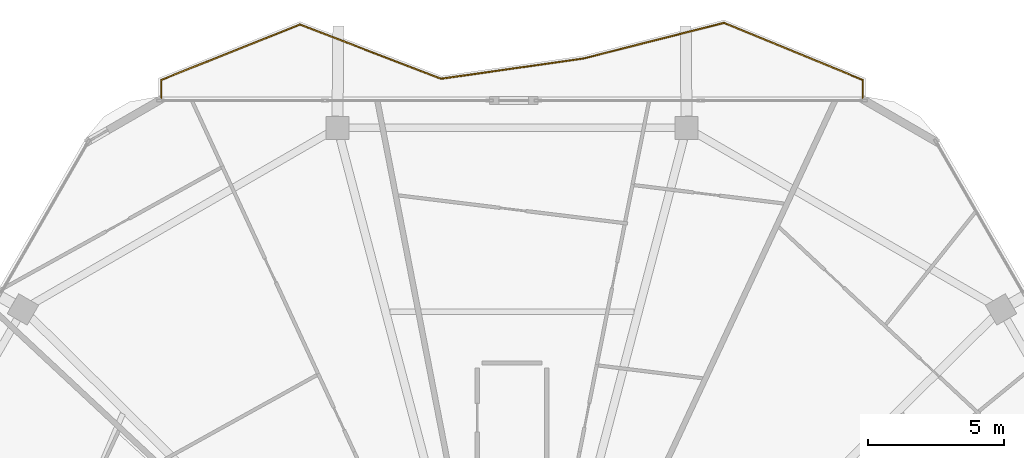
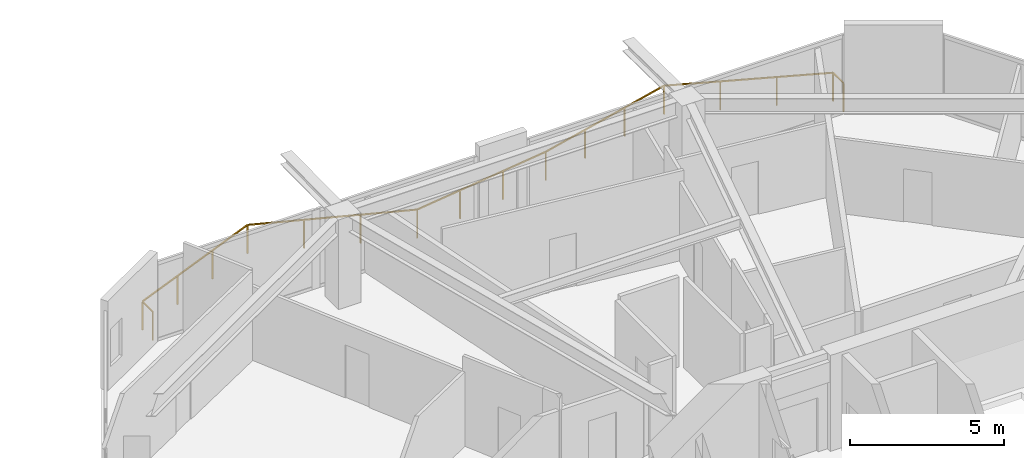
# One storey, part 27 of 27: 1 railing.
"""IFC4 building model written with IfcOpenShell, lengths in metres."""

from ifc_helpers import new_model, si_unit, direction, frame, origin, origin_2d, place, context, subcontext, project, spatial, rectangle, extrude, material, type_object, element, save


model = new_model("IFC4")

# Units and contexts
model_context = context("Model", 3, precision=1e-05, world=origin(), true_north=direction((0.0, 1.0)))
body_context = subcontext(model_context, "Body", "Model", "MODEL_VIEW")
ifc_project = project(units=[si_unit("LENGTHUNIT", "METRE"), si_unit("AREAUNIT", "SQUARE_METRE"), si_unit("VOLUMEUNIT", "CUBIC_METRE"), si_unit("PLANEANGLEUNIT", "RADIAN"), si_unit("MASSUNIT", "GRAM", prefix="KILO")], contexts=[model_context])

# Site, building, storey
site_placement = place(None, origin())
site = spatial("IfcSite", under=ifc_project, at=site_placement, CompositionType="ELEMENT")
building_placement = place(site_placement, origin())
building = spatial("IfcBuilding", under=site, at=building_placement, Name="Zuhravey Tower", CompositionType="ELEMENT")
storey_placement = place(building_placement, frame((0.0, 0.0, 265.39990234375)))
storey = spatial("IfcBuildingStorey", under=building, at=storey_placement, Name="L67", CompositionType="ELEMENT", Elevation=265.39990234375)

# Railing
ifc_material = material(Name="Stainless steel 316 and laminated glass", Category="steel")
railing_type = type_object("IfcRailingType", Name="Balcony & Terrace Guardrail 1150", PredefinedType="BALUSTRADE", material=ifc_material)
railing_placement = place(storey_placement, frame((23.058349609375, 57.648681640625, 0.0)))
element("IfcRailing", 1, at=railing_placement, inside=storey, type_object=railing_type, Name="L67 Face 2 Wave Balcony Guardrail GR1", PredefinedType="BALUSTRADE", context=body_context, shape_type="SweptSolid", body=[
    extrude(rectangle(XDim=0.048095703125, YDim=0.048095703125, at=origin_2d()), frame((0.0, 0.001953125, 1.1259765625), z_axis=(0.0, 1.0, 0.0), x_axis=(-1.0, 0.0, 0.0)), (0.0, 0.0, 1.0), 0.668212890625),
    extrude(rectangle(XDim=0.048095703125, YDim=0.048095703125, at=origin_2d()), frame((0.001953125, 0.6728515625, 1.1259765625), z_axis=(0.928574424456, 0.371146249134, 0.0), x_axis=(-0.371146249134, 0.928574424456, 0.0)), (0.0, 0.0, 1.0), 5.507080078125),
    extrude(rectangle(XDim=0.048095703125, YDim=0.048095703125, at=origin_2d()), frame((5.119384765625, 2.716796875, 1.1259765625), z_axis=(0.933372687279, -0.358908660582, 0.0), x_axis=(0.358908660582, 0.933372687279, 0.0)), (0.0, 0.0, 1.0), 5.57177734375),
    extrude(rectangle(XDim=0.048095703125, YDim=0.048095703125, at=origin_2d()), frame((10.32373046875, 0.716552734375, 1.1259765625), z_axis=(0.990056074814, 0.1406732694, 0.0), x_axis=(-0.1406732694, 0.990056074814, 0.0)), (0.0, 0.0, 1.0), 5.296142578125),
    extrude(rectangle(XDim=0.048095703125, YDim=0.048095703125, at=origin_2d()), frame((15.5712890625, 1.46240234375, 1.1259765625), z_axis=(0.969261841754, 0.246031465712, 0.0), x_axis=(-0.246031465712, 0.969261841754, 0.0)), (0.0, 0.0, 1.0), 5.3505859375),
    extrude(rectangle(XDim=0.048095703125, YDim=0.048095703125, at=origin_2d()), frame((20.76123046875, 2.778564453125, 1.1259765625), z_axis=(0.924896981159, -0.38021779843, 0.0), x_axis=(0.38021779843, 0.924896981159, 0.0)), (0.0, 0.0, 1.0), 5.5361328125),
    extrude(rectangle(XDim=0.048095703125, YDim=0.048095703125, at=origin_2d()), frame((25.88330078125, 0.6708984375, 1.1259765625), z_axis=(0.0, -1.0, 0.0), x_axis=(1.0, 0.0, 0.0)), (0.0, 0.0, 1.0), 0.6689453125),
    extrude(rectangle(XDim=0.0419921875, YDim=0.0419921875, at=origin_2d()), origin(), (0.0, 0.0, 1.0), 1.099853515625),
    extrude(rectangle(XDim=0.0419921875, YDim=0.0419921875, at=origin_2d()), frame((0.0, 0.672119140625, 0.0)), (0.0, 0.0, 1.0), 1.099853515625),
    extrude(rectangle(XDim=0.0419921875, YDim=0.0419921875, at=origin_2d()), frame((1.705810546875, 1.35400390625, 0.0)), (0.0, 0.0, 1.0), 1.099853515625),
    extrude(rectangle(XDim=0.0419921875, YDim=0.0419921875, at=origin_2d()), frame((3.41162109375, 2.03564453125, 0.0)), (0.0, 0.0, 1.0), 1.099853515625),
    extrude(rectangle(XDim=0.0419921875, YDim=0.0419921875, at=origin_2d()), frame((5.117431640625, 2.717529296875, 0.0)), (0.0, 0.0, 1.0), 1.099853515625),
    extrude(rectangle(XDim=0.0419921875, YDim=0.0419921875, at=origin_2d()), frame((6.852294921875, 2.050537109375, 0.0)), (0.0, 0.0, 1.0), 1.099853515625),
    extrude(rectangle(XDim=0.0419921875, YDim=0.0419921875, at=origin_2d()), frame((8.5869140625, 1.38330078125, 0.0)), (0.0, 0.0, 1.0), 1.099853515625),
    extrude(rectangle(XDim=0.0419921875, YDim=0.0419921875, at=origin_2d()), frame((10.32177734375, 0.71630859375, 0.0)), (0.0, 0.0, 1.0), 1.099853515625),
    extrude(rectangle(XDim=0.0419921875, YDim=0.0419921875, at=origin_2d()), frame((12.071044921875, 0.96484375, 0.0)), (0.0, 0.0, 1.0), 1.099853515625),
    extrude(rectangle(XDim=0.0419921875, YDim=0.0419921875, at=origin_2d()), frame((13.820068359375, 1.21337890625, 0.0)), (0.0, 0.0, 1.0), 1.099853515625),
    extrude(rectangle(XDim=0.0419921875, YDim=0.0419921875, at=origin_2d()), frame((15.5693359375, 1.4619140625, 0.0)), (0.0, 0.0, 1.0), 1.099853515625),
    extrude(rectangle(XDim=0.0419921875, YDim=0.0419921875, at=origin_2d()), frame((17.29931640625, 1.901123046875, 0.0)), (0.0, 0.0, 1.0), 1.099853515625),
    extrude(rectangle(XDim=0.0419921875, YDim=0.0419921875, at=origin_2d()), frame((19.029296875, 2.340087890625, 0.0)), (0.0, 0.0, 1.0), 1.099853515625),
    extrude(rectangle(XDim=0.0419921875, YDim=0.0419921875, at=origin_2d()), frame((20.75927734375, 2.779296875, 0.0)), (0.0, 0.0, 1.0), 1.099853515625),
    extrude(rectangle(XDim=0.0419921875, YDim=0.0419921875, at=origin_2d()), frame((22.46728515625, 2.0771484375, 0.0)), (0.0, 0.0, 1.0), 1.099853515625),
    extrude(rectangle(XDim=0.0419921875, YDim=0.0419921875, at=origin_2d()), frame((24.17529296875, 1.375, 0.0)), (0.0, 0.0, 1.0), 1.099853515625),
    extrude(rectangle(XDim=0.0419921875, YDim=0.0419921875, at=origin_2d()), frame((25.88330078125, 0.6728515625, 0.0)), (0.0, 0.0, 1.0), 1.099853515625),
    extrude(rectangle(XDim=0.0419921875, YDim=0.0419921875, at=origin_2d()), frame((25.88330078125, 0.0, 0.0)), (0.0, 0.0, 1.0), 1.099853515625),
])

save(model, "model.ifc")
